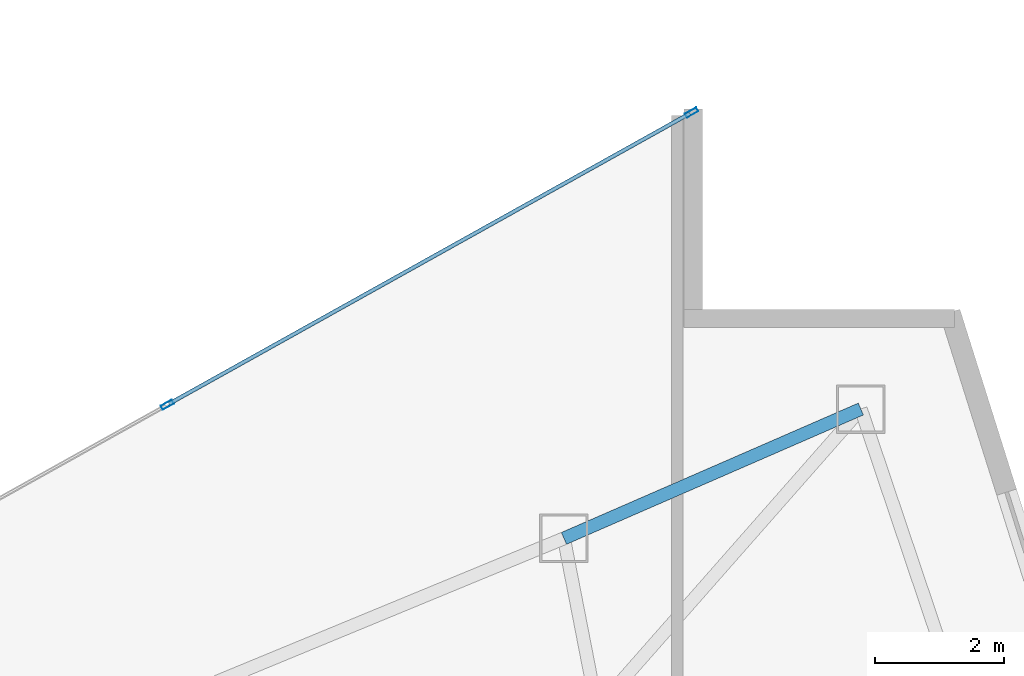
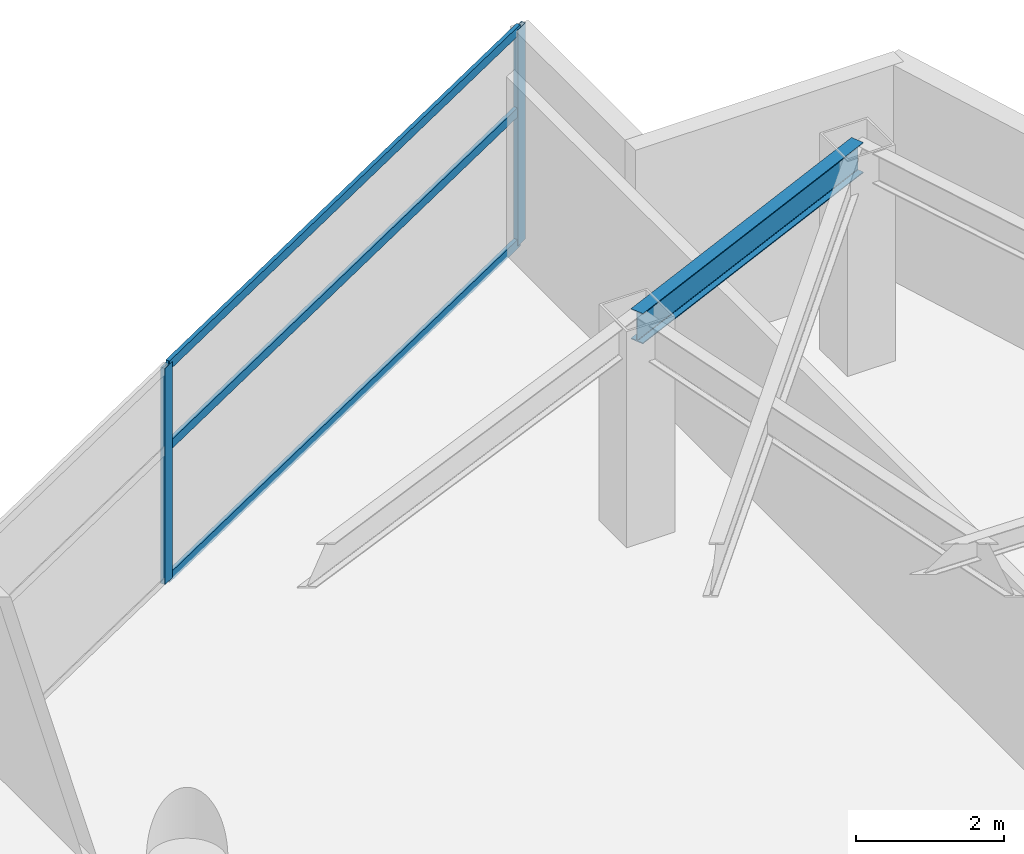
# One storey, part 20 of 28: 5 members, 1 beam, 1 element without a shape of its own.
"""IFC4 building model written with IfcOpenShell, lengths in metres."""

from ifc_helpers import new_model, si_unit, direction, frame, origin, origin_2d, place, context, subcontext, project, spatial, hollow_rectangle, i_section, extrude, material, layer, layer_set, material_profile, profile_set, type_object, element, aggregate, save


model = new_model("IFC4")

# Units and contexts
model_context = context("Model", 3, precision=1e-05, world=origin(), true_north=direction((0.0, 1.0)))
body_context = subcontext(model_context, "Body", "Model", "MODEL_VIEW")
ifc_project = project(units=[si_unit("LENGTHUNIT", "METRE"), si_unit("AREAUNIT", "SQUARE_METRE"), si_unit("VOLUMEUNIT", "CUBIC_METRE"), si_unit("PLANEANGLEUNIT", "RADIAN"), si_unit("MASSUNIT", "GRAM", prefix="KILO")], contexts=[model_context])

# Site, building, storey
site_placement = place(None, origin())
site = spatial("IfcSite", under=ifc_project, at=site_placement, CompositionType="ELEMENT")
building_placement = place(site_placement, origin())
building = spatial("IfcBuilding", under=site, at=building_placement, Name="Calvorn Quay Hotel", CompositionType="ELEMENT")
storey_placement = place(building_placement, frame((0.0, 0.0, 152.300048828125)))
storey = spatial("IfcBuildingStorey", under=building, at=storey_placement, Name="L37", CompositionType="ELEMENT", Elevation=152.300048828125)

# Beam
ifc_material_1 = material(Name="Steel Q355B", Category="steel")
ifc_material_profile_1 = material_profile(ifc_material_1, i_section(OverallWidth=0.199951171875, OverallDepth=0.5, WebThickness=0.010009765625, FlangeThickness=0.01611328125, FilletRadius=0.01611328125, at=origin_2d()), Name="HN500x200x10x16")
ifc_profile_set_1 = profile_set([ifc_material_profile_1], Name="Steel Q355B")
beam_type = type_object("IfcBeamType", Name="BM-SPANDREL-Z1", PredefinedType="SPANDREL", material=ifc_profile_set_1)
beam_placement = place(storey_placement, frame((48.591064453125, 33.39990234375, 3.2900390625), z_axis=(-0.916786146489, -0.399378469132, 0.0), x_axis=(0.399378469132, -0.916786146489, 0.0)))
element("IfcBeam", 1, at=beam_placement, inside=storey, type_object=beam_type, Name="Beam BSP-L37-E3", PredefinedType="SPANDREL", context=body_context, shape_type="SweptSolid", body=[
    extrude(i_section(OverallWidth=0.199951171875, OverallDepth=0.5, WebThickness=0.010009765625, FlangeThickness=0.01611328125, FilletRadius=0.01611328125, at=origin_2d()), origin(), (0.0, 0.0, 1.0), 5.0078125),
])

# Curtain wall, members
ifc_material_2 = material(Name="Pale Anodised Aluminium and Low-E Glass", Category="aluminium")
ifc_layer = layer(ifc_material_2, 0.219970703125)
ifc_layer_set = layer_set([ifc_layer], Name="CW-SYS-Z2")
curtain_wall_type = type_object("IfcCurtainWallType", Name="CW-SYS-Z2", PredefinedType="NOTDEFINED", material=ifc_layer_set)
curtain_wall_placement = place(storey_placement, origin())
curtain_wall = element("IfcCurtainWall", 2, at=curtain_wall_placement, inside=storey, type_object=curtain_wall_type, Name="Inner Court Curtain Wall L37-NE1", PredefinedType="NOTDEFINED")
ifc_material_3 = material(Name="Pale Anodised Aluminium 6063-T6", Category="aluminium")
ifc_material_profile_2 = material_profile(ifc_material_3, hollow_rectangle(XDim=0.070068359375, YDim=0.199951171875, WallThickness=0.00390625, at=origin_2d()), Name="ALU-M200x70x4")
ifc_profile_set_2 = profile_set([ifc_material_profile_2], Name="Pale Anodised Aluminium 6063-T6")
member_type_1 = type_object("IfcMemberType", Name="CW-SYS-Z2-MUL", PredefinedType="MULLION", material=ifc_profile_set_2)
member_1_placement = place(storey_placement, frame((45.973876953125, 37.9853515625, 0.0), z_axis=(0.0, 0.0, 1.0), x_axis=(0.486858256224, -0.873480989116, 0.0)))
member_1 = element("IfcMember", 3, at=member_1_placement, type_object=member_type_1, Name="CW-L37-NE1 mullion 1", PredefinedType="MULLION", context=body_context, shape_type="SweptSolid", body=[
    extrude(hollow_rectangle(XDim=0.070068359375, YDim=0.199951171875, WallThickness=0.00390625, at=origin_2d()), origin(), (0.0, 0.0, 1.0), 3.56005859375),
])
member_2_placement = place(storey_placement, frame((37.86669921875, 33.466552734375, 0.0), z_axis=(0.0, 0.0, 1.0), x_axis=(0.486858256224, -0.873480989116, 0.0)))
member_2 = element("IfcMember", 4, at=member_2_placement, type_object=member_type_1, Name="CW-L37-NE1 mullion 2", PredefinedType="MULLION", context=body_context, shape_type="SweptSolid", body=[
    extrude(hollow_rectangle(XDim=0.070068359375, YDim=0.199951171875, WallThickness=0.00390625, at=origin_2d()), origin(), (0.0, 0.0, 1.0), 3.56005859375),
])
ifc_material_4 = material(Name="Pale Anodised Aluminium 6063-T6", Category="aluminium")
ifc_material_profile_3 = material_profile(ifc_material_4, hollow_rectangle(XDim=0.06005859375, YDim=0.14990234375, WallThickness=0.00341796875, at=origin_2d()), Name="ALU-T150x60x3.5")
ifc_profile_set_3 = profile_set([ifc_material_profile_3], Name="Pale Anodised Aluminium 6063-T6")
member_type_2 = type_object("IfcMemberType", Name="CW-SYS-Z2-TRN", PredefinedType="USERDEFINED", material=ifc_profile_set_3)
member_3_placement = place(storey_placement, frame((45.947509765625, 37.970703125, 0.030029296875), z_axis=(-0.87348080454, -0.486858587375, 0.0), x_axis=(0.486858587375, -0.87348080454, 0.0)))
member_3 = element("IfcMember", 5, at=member_3_placement, type_object=member_type_2, Name="CW-L37-NE1 transom 1.1", ObjectType="TRANSOM", PredefinedType="USERDEFINED", context=body_context, shape_type="SweptSolid", body=[
    extrude(hollow_rectangle(XDim=0.06005859375, YDim=0.14990234375, WallThickness=0.00341796875, at=origin_2d()), origin(), (0.0, 0.0, 1.0), 9.221435546875),
])
member_4_placement = place(storey_placement, frame((45.947509765625, 37.970703125, 2.199951171875), z_axis=(-0.87348080454, -0.486858587375, 0.0), x_axis=(0.486858587375, -0.87348080454, 0.0)))
member_4 = element("IfcMember", 6, at=member_4_placement, type_object=member_type_2, Name="CW-L37-NE1 transom 1.2", ObjectType="TRANSOM", PredefinedType="USERDEFINED", context=body_context, shape_type="SweptSolid", body=[
    extrude(hollow_rectangle(XDim=0.06005859375, YDim=0.14990234375, WallThickness=0.00341796875, at=origin_2d()), origin(), (0.0, 0.0, 1.0), 9.221435546875),
])
member_5_placement = place(storey_placement, frame((45.947509765625, 37.970703125, 3.530029296875), z_axis=(-0.87348080454, -0.486858587375, 0.0), x_axis=(0.486858587375, -0.87348080454, 0.0)))
member_5 = element("IfcMember", 7, at=member_5_placement, type_object=member_type_2, Name="CW-L37-NE1 transom 1.3", ObjectType="TRANSOM", PredefinedType="USERDEFINED", context=body_context, shape_type="SweptSolid", body=[
    extrude(hollow_rectangle(XDim=0.06005859375, YDim=0.14990234375, WallThickness=0.00341796875, at=origin_2d()), origin(), (0.0, 0.0, 1.0), 9.221435546875),
])
aggregate(curtain_wall, [member_1, member_2, member_3, member_4, member_5])

save(model, "model.ifc")
